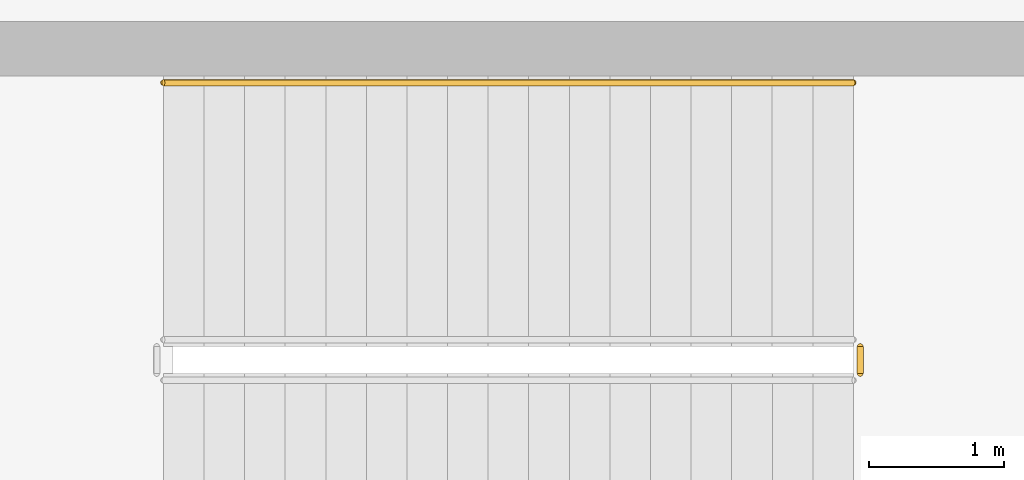
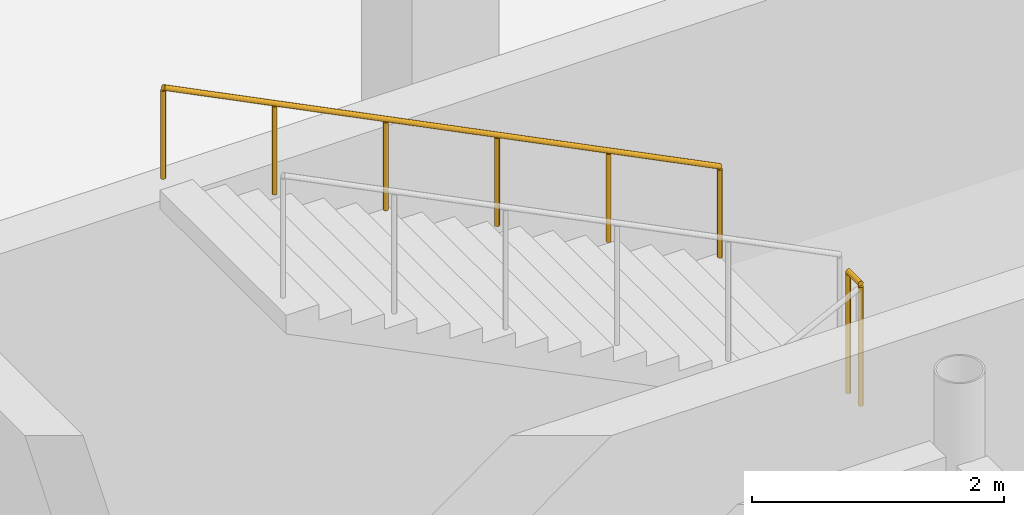
# One storey, part 92 of 110: 2 railings.
"""IFC4 building model written with IfcOpenShell, lengths in metres."""

import ifcopenshell
import ifcopenshell.guid

model = None  # the IFC model being written
_history = None  # IfcOwnerHistory: only IFC2X3 demands one
_inside = {}  # id of a spatial element -> (the spatial element, [elements in it])
_under = {}  # id of a project, library or spatial element -> (it, [spatial elements below it])
_declared = {}  # id of a project -> (the project, [libraries it declares])
_typed = {}  # id of a type object -> (the type object, [elements of that type])
_made_of = {}  # id of a material, layer set ... -> (it, [elements and type objects made of it])


def new_model(schema):
    """Start an empty IFC model of exactly this schema.

    Asked for "IFC4X3", IfcOpenShell would pick the latest addendum, in which some entities
    have other attributes; the version numbers below select the first issue.
    IFC2X3 requires an IfcOwnerHistory on every rooted entity: one is made here for all.
    """
    global model, _history
    if schema == "IFC4X3":
        model = ifcopenshell.file(schema_version=(4, 3, 0, 0))
    else:
        model = ifcopenshell.file(schema=schema)
    _inside.clear()
    _under.clear()
    _declared.clear()
    _typed.clear()
    _made_of.clear()
    _history = None
    if model.schema == "IFC2X3":
        org = make("IfcOrganization", Name="unknown")
        user = make(
            "IfcPersonAndOrganization",
            ThePerson=make("IfcPerson", FamilyName="unknown"),
            TheOrganization=org,
        )
        app = make(
            "IfcApplication",
            ApplicationDeveloper=org,
            Version="unknown",
            ApplicationFullName="unknown",
            ApplicationIdentifier="unknown",
        )
        _history = make(
            "IfcOwnerHistory",
            OwningUser=user,
            OwningApplication=app,
            ChangeAction="ADDED",
            CreationDate=0,
        )
    return model


def make(cls, **values):
    """One entity of the class cls with the attributes given. An attribute that is None is left unset."""
    return model.create_entity(
        cls, **{name: value for name, value in values.items() if value is not None}
    )


def rooted(cls, **values):
    """An entity with a GlobalId (a new one), such as an element, a storey or a relation."""
    return make(cls, GlobalId=ifcopenshell.guid.new(), OwnerHistory=_history, **values)


def si_unit(unit_type, name, prefix=None):
    """IfcSIUnit, for example si_unit("LENGTHUNIT", "METRE", prefix="MILLI")."""
    return make("IfcSIUnit", UnitType=unit_type, Prefix=prefix, Name=name)


def assignment(units):
    """IfcUnitAssignment: the units of a project."""
    return None if units is None else make("IfcUnitAssignment", Units=units)


def point(xyz):
    """IfcCartesianPoint."""
    return None if xyz is None else make("IfcCartesianPoint", Coordinates=xyz)


def direction(xyz):
    """IfcDirection."""
    return None if xyz is None else make("IfcDirection", DirectionRatios=xyz)


def frame(location, z_axis=None, x_axis=None):
    """IfcAxis2Placement3D, a coordinate frame: its origin and axes. An axis left out is left unset."""
    return make(
        "IfcAxis2Placement3D",
        Location=point(location),
        Axis=direction(z_axis),
        RefDirection=direction(x_axis),
    )


def frame_2d(location, x_axis=None):
    """IfcAxis2Placement2D, a coordinate frame in the plane: its origin and x axis."""
    return make(
        "IfcAxis2Placement2D", Location=point(location), RefDirection=direction(x_axis)
    )


def origin():
    """The frame at (0, 0, 0) with its axes left unset."""
    return frame((0.0, 0.0, 0.0))


def origin_2d():
    """The frame at (0, 0) in the plane with its x axis left unset."""
    return frame_2d((0.0, 0.0))


def place(relative_to, where):
    """IfcLocalPlacement: puts the frame where relative to a parent placement (None: the world)."""
    return make(
        "IfcLocalPlacement", PlacementRelTo=relative_to, RelativePlacement=where
    )


def context(
    kind, dimensions, precision=None, world=None, true_north=None, identifier=None
):
    """IfcGeometricRepresentationContext, for example the 3D "Model" context."""
    return make(
        "IfcGeometricRepresentationContext",
        ContextIdentifier=identifier,
        ContextType=kind,
        CoordinateSpaceDimension=dimensions,
        Precision=precision,
        WorldCoordinateSystem=world,
        TrueNorth=true_north,
    )


def subcontext(parent, identifier, kind, view, scale=None):
    """IfcGeometricRepresentationSubContext, for example "Body" below "Model"."""
    return make(
        "IfcGeometricRepresentationSubContext",
        ContextIdentifier=identifier,
        ContextType=kind,
        ParentContext=parent,
        TargetScale=scale,
        TargetView=view,
    )


def project(units=None, contexts=None):
    """IfcProject with its units and contexts."""
    return rooted(
        "IfcProject",
        Name="project",
        RepresentationContexts=contexts,
        UnitsInContext=assignment(units),
    )


def spatial(cls, under=None, at=None, **own):
    """A site, building, storey or space (cls), placed at a placement, below another one or the project."""
    s = rooted(cls, ObjectPlacement=at, **own)
    if under is not None:
        _under.setdefault(under.id(), (under, []))[1].append(s)
    return s


def profile(cls, at=None, kind="AREA", **sizes):
    """A parametric profile (cls). Its sizes go by their IFC names, for example OverallWidth=200.0."""
    return make(cls, ProfileType=kind, Position=at, **sizes)


def circle(**sizes):
    """IfcCircleProfileDef."""
    return profile("IfcCircleProfileDef", **sizes)


def extrude(swept, where, along, depth):
    """IfcExtrudedAreaSolid: the profile swept, set in the frame where, extruded along a direction by depth."""
    return make(
        "IfcExtrudedAreaSolid",
        SweptArea=swept,
        Position=where,
        ExtrudedDirection=direction(along),
        Depth=depth,
    )


def shape(context_of_items, identifier, shape_type, items):
    """IfcShapeRepresentation: the items that make up one representation, for example the "Body"."""
    return make(
        "IfcShapeRepresentation",
        ContextOfItems=context_of_items,
        RepresentationIdentifier=identifier,
        RepresentationType=shape_type,
        Items=items,
    )


def material(Name=None, Category=None):
    """IfcMaterial."""
    return make("IfcMaterial", Name=Name, Category=Category)


def made_of(thing, what):
    """Note that an element or type object is made of a material, layer set ...; save() writes the relation."""
    if what is not None:
        _made_of.setdefault(what.id(), (what, []))[1].append(thing)
    return thing


def type_object(cls, material=None, **own):
    """A type object (cls), such as IfcWallType, which elements share."""
    return made_of(rooted(cls, **own), material)


def element(
    cls,
    number,
    at=None,
    inside=None,
    cuts=None,
    type_object=None,
    material=None,
    context=None,
    identifier="Body",
    shape_type=None,
    held_by="IfcProductDefinitionShape",
    body=None,
    shapes=None,
    **own,
):
    """One element of the class cls, such as IfcWall. Its Tag is "e" and its number.

    at: its placement. inside: the storey or other place that contains it. cuts: it is an
    opening in that element (IfcRelVoidsElement). A single representation is given by context,
    identifier, shape_type and body (its items); several are given by shapes. held_by: the class
    of the entity that holds the representations. save() writes the other relations.
    """
    e = rooted(cls, Tag="e%d" % number, ObjectPlacement=at, **own)
    if body is not None:
        shapes = [shape(context, identifier, shape_type, body)]
    if shapes is not None:
        e.Representation = make(held_by, Representations=shapes)
    if inside is not None:
        _inside.setdefault(inside.id(), (inside, []))[1].append(e)
    if cuts is not None:
        rooted(
            "IfcRelVoidsElement", RelatingBuildingElement=cuts, RelatedOpeningElement=e
        )
    if type_object is not None:
        _typed.setdefault(type_object.id(), (type_object, []))[1].append(e)
    return made_of(e, material)


def aggregate(whole, parts):
    """IfcRelAggregates: a whole, such as a stair, and the parts it consists of."""
    return rooted("IfcRelAggregates", RelatingObject=whole, RelatedObjects=parts)


def save(model, path):
    """Write the relations noted so far, then the file.

    IfcRelAggregates (storeys below a building ...), IfcRelContainedInSpatialStructure (elements
    in a storey), IfcRelDefinesByType, IfcRelAssociatesMaterial and IfcRelDeclares: one each for
    every whole, place, type object, material and project.
    """
    for whole, parts in _under.values():
        aggregate(whole, parts)
    for where, things in _inside.values():
        rooted(
            "IfcRelContainedInSpatialStructure",
            RelatedElements=things,
            RelatingStructure=where,
        )
    for kind, things in _typed.values():
        rooted("IfcRelDefinesByType", RelatedObjects=things, RelatingType=kind)
    for what, things in _made_of.values():
        rooted("IfcRelAssociatesMaterial", RelatedObjects=things, RelatingMaterial=what)
    for by, libraries in _declared.values():
        rooted("IfcRelDeclares", RelatingContext=by, RelatedDefinitions=libraries)
    model.write(path)


model = new_model("IFC4")

# Units and contexts
model_context = context("Model", 3, precision=1e-05, world=origin(), true_north=direction((0.0, 1.0)))
body_context = subcontext(model_context, "Body", "Model", "MODEL_VIEW")
ifc_project = project(units=[si_unit("LENGTHUNIT", "METRE"), si_unit("AREAUNIT", "SQUARE_METRE"), si_unit("VOLUMEUNIT", "CUBIC_METRE"), si_unit("PLANEANGLEUNIT", "RADIAN"), si_unit("MASSUNIT", "GRAM", prefix="KILO"), si_unit("THERMODYNAMICTEMPERATUREUNIT", "KELVIN")], contexts=[model_context])

# Site, building, storey
site_placement = place(None, origin())
site = spatial("IfcSite", under=ifc_project, at=site_placement, CompositionType="ELEMENT")
building_placement = place(site_placement, origin())
building = spatial("IfcBuilding", under=site, at=building_placement, Name="Lustrewick Department Store", CompositionType="ELEMENT")
storey_placement = place(building_placement, frame((0.0, 0.0, 6.0)))
storey = spatial("IfcBuildingStorey", under=building, at=storey_placement, Name="L02", CompositionType="ELEMENT", Elevation=6.0)

# Railings
ifc_material_1 = material(Name="Painted tubular steel stairwell guardrail", Category="steel")
railing_type_1 = type_object("IfcRailingType", Name="RL-STG", PredefinedType="GUARDRAIL", material=ifc_material_1)
railing_1_placement = place(storey_placement, frame((68.199951171875, 62.10009765625, 2.699951171875)))
element("IfcRailing", 1, at=railing_1_placement, inside=storey, type_object=railing_type_1, Name="L02 ST04 Stair Guard 2", PredefinedType="GUARDRAIL", context=body_context, shape_type="SweptSolid", body=[
    extrude(circle(Radius=0.02392578125, at=origin_2d()), frame((0.0, 0.0, 1.17578125), z_axis=(0.0, 1.0, 0.0), x_axis=(-1.0, 0.0, 0.0)), (0.0, 0.0, 1.0), 0.199951171875),
    extrude(circle(Radius=0.02099609375, at=origin_2d()), origin(), (0.0, 0.0, 1.0), 1.15185546875),
    extrude(circle(Radius=0.02099609375, at=origin_2d()), frame((0.0, 0.199951171875, 0.0)), (0.0, 0.0, 1.0), 1.15185546875),
])
ifc_material_2 = material(Name="Brushed stainless steel wall handrail", Category="steel")
railing_type_2 = type_object("IfcRailingType", Name="RL-STH", PredefinedType="HANDRAIL", material=ifc_material_2)
railing_2_placement = place(storey_placement, frame((68.14990234375, 64.25, 2.85009765625)))
element("IfcRailing", 2, at=railing_2_placement, inside=storey, type_object=railing_type_2, Name="L02 ST04 Stair Handrail 2", PredefinedType="HANDRAIL", context=body_context, shape_type="SweptSolid", body=[
    extrude(circle(Radius=0.02392578125, at=origin_2d()), frame((0.0, 0.0, 0.8759765625), z_axis=(-0.894435754537, 0.0, 0.447196468016), x_axis=(0.0, -1.0, 0.0)), (0.0, 0.0, 1.0), 5.70166015625),
    extrude(circle(Radius=0.02099609375, at=origin_2d()), origin(), (0.0, 0.0, 1.0), 0.851806640625),
    extrude(circle(Radius=0.02099609375, at=origin_2d()), frame((-1.02001953125, 0.0, 0.510009765625)), (0.0, 0.0, 1.0), 0.851806640625),
    extrude(circle(Radius=0.02099609375, at=origin_2d()), frame((-2.0400390625, 0.0, 1.02001953125)), (0.0, 0.0, 1.0), 0.851806640625),
    extrude(circle(Radius=0.02099609375, at=origin_2d()), frame((-3.059814453125, 0.0, 1.52978515625)), (0.0, 0.0, 1.0), 0.851806640625),
    extrude(circle(Radius=0.02099609375, at=origin_2d()), frame((-4.079833984375, 0.0, 2.039794921875)), (0.0, 0.0, 1.0), 0.851806640625),
    extrude(circle(Radius=0.02099609375, at=origin_2d()), frame((-5.099853515625, 0.0, 2.5498046875)), (0.0, 0.0, 1.0), 0.851806640625),
])

save(model, "model.ifc")
